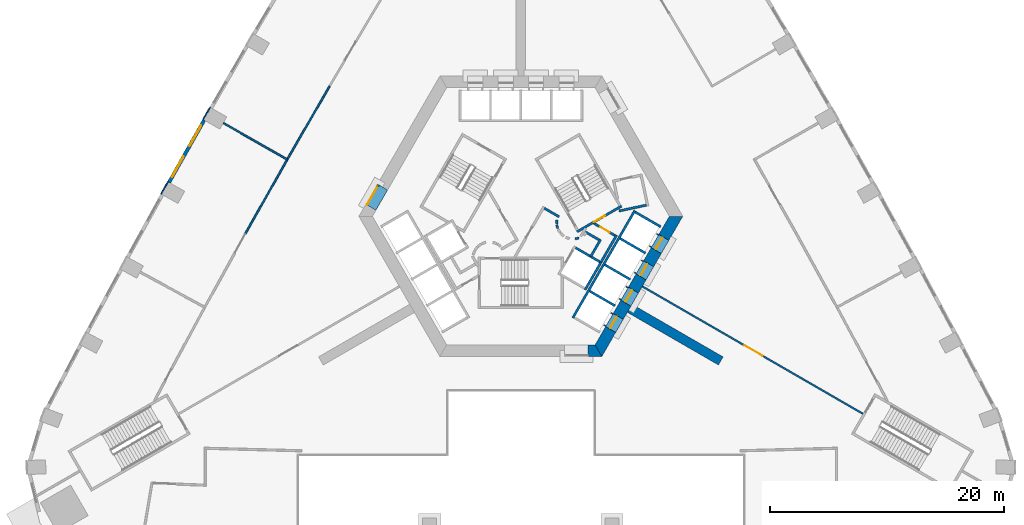
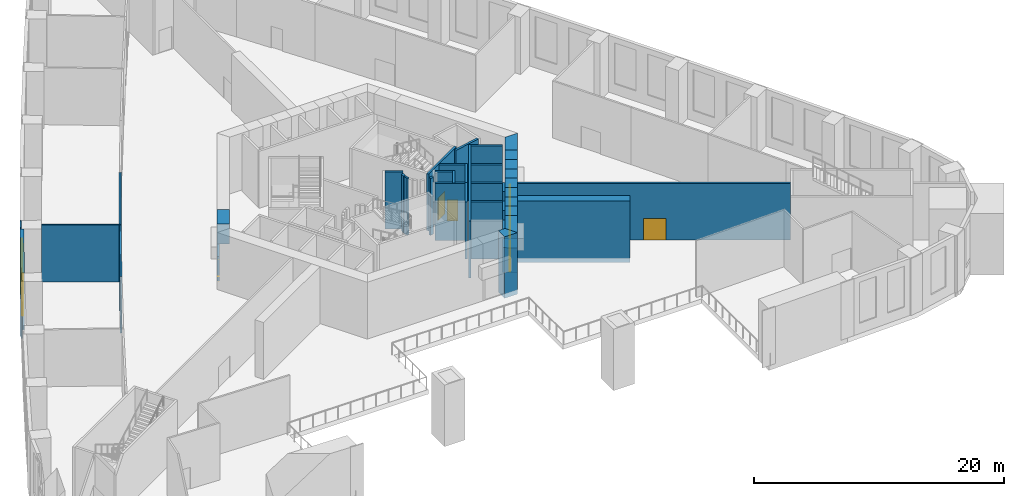
# One storey, part 4 of 15: 41 walls, 8 doors, 2 windows, 10 openings.
"""IFC4 building model written with IfcOpenShell, lengths in metres."""

import ifcopenshell
import ifcopenshell.guid

model = None  # the IFC model being written
_history = None  # IfcOwnerHistory: only IFC2X3 demands one
_inside = {}  # id of a spatial element -> (the spatial element, [elements in it])
_under = {}  # id of a project, library or spatial element -> (it, [spatial elements below it])
_declared = {}  # id of a project -> (the project, [libraries it declares])
_typed = {}  # id of a type object -> (the type object, [elements of that type])
_made_of = {}  # id of a material, layer set ... -> (it, [elements and type objects made of it])


def new_model(schema):
    """Start an empty IFC model of exactly this schema.

    Asked for "IFC4X3", IfcOpenShell would pick the latest addendum, in which some entities
    have other attributes; the version numbers below select the first issue.
    IFC2X3 requires an IfcOwnerHistory on every rooted entity: one is made here for all.
    """
    global model, _history
    if schema == "IFC4X3":
        model = ifcopenshell.file(schema_version=(4, 3, 0, 0))
    else:
        model = ifcopenshell.file(schema=schema)
    _inside.clear()
    _under.clear()
    _declared.clear()
    _typed.clear()
    _made_of.clear()
    _history = None
    if model.schema == "IFC2X3":
        org = make("IfcOrganization", Name="unknown")
        user = make(
            "IfcPersonAndOrganization",
            ThePerson=make("IfcPerson", FamilyName="unknown"),
            TheOrganization=org,
        )
        app = make(
            "IfcApplication",
            ApplicationDeveloper=org,
            Version="unknown",
            ApplicationFullName="unknown",
            ApplicationIdentifier="unknown",
        )
        _history = make(
            "IfcOwnerHistory",
            OwningUser=user,
            OwningApplication=app,
            ChangeAction="ADDED",
            CreationDate=0,
        )
    return model


def make(cls, **values):
    """One entity of the class cls with the attributes given. An attribute that is None is left unset."""
    return model.create_entity(
        cls, **{name: value for name, value in values.items() if value is not None}
    )


def rooted(cls, **values):
    """An entity with a GlobalId (a new one), such as an element, a storey or a relation."""
    return make(cls, GlobalId=ifcopenshell.guid.new(), OwnerHistory=_history, **values)


def si_unit(unit_type, name, prefix=None):
    """IfcSIUnit, for example si_unit("LENGTHUNIT", "METRE", prefix="MILLI")."""
    return make("IfcSIUnit", UnitType=unit_type, Prefix=prefix, Name=name)


def assignment(units):
    """IfcUnitAssignment: the units of a project."""
    return None if units is None else make("IfcUnitAssignment", Units=units)


def point(xyz):
    """IfcCartesianPoint."""
    return None if xyz is None else make("IfcCartesianPoint", Coordinates=xyz)


def direction(xyz):
    """IfcDirection."""
    return None if xyz is None else make("IfcDirection", DirectionRatios=xyz)


def frame(location, z_axis=None, x_axis=None):
    """IfcAxis2Placement3D, a coordinate frame: its origin and axes. An axis left out is left unset."""
    return make(
        "IfcAxis2Placement3D",
        Location=point(location),
        Axis=direction(z_axis),
        RefDirection=direction(x_axis),
    )


def frame_2d(location, x_axis=None):
    """IfcAxis2Placement2D, a coordinate frame in the plane: its origin and x axis."""
    return make(
        "IfcAxis2Placement2D", Location=point(location), RefDirection=direction(x_axis)
    )


def origin():
    """The frame at (0, 0, 0) with its axes left unset."""
    return frame((0.0, 0.0, 0.0))


def place(relative_to, where):
    """IfcLocalPlacement: puts the frame where relative to a parent placement (None: the world)."""
    return make(
        "IfcLocalPlacement", PlacementRelTo=relative_to, RelativePlacement=where
    )


def context(
    kind, dimensions, precision=None, world=None, true_north=None, identifier=None
):
    """IfcGeometricRepresentationContext, for example the 3D "Model" context."""
    return make(
        "IfcGeometricRepresentationContext",
        ContextIdentifier=identifier,
        ContextType=kind,
        CoordinateSpaceDimension=dimensions,
        Precision=precision,
        WorldCoordinateSystem=world,
        TrueNorth=true_north,
    )


def subcontext(parent, identifier, kind, view, scale=None):
    """IfcGeometricRepresentationSubContext, for example "Body" below "Model"."""
    return make(
        "IfcGeometricRepresentationSubContext",
        ContextIdentifier=identifier,
        ContextType=kind,
        ParentContext=parent,
        TargetScale=scale,
        TargetView=view,
    )


def project(units=None, contexts=None):
    """IfcProject with its units and contexts."""
    return rooted(
        "IfcProject",
        Name="project",
        RepresentationContexts=contexts,
        UnitsInContext=assignment(units),
    )


def spatial(cls, under=None, at=None, **own):
    """A site, building, storey or space (cls), placed at a placement, below another one or the project."""
    s = rooted(cls, ObjectPlacement=at, **own)
    if under is not None:
        _under.setdefault(under.id(), (under, []))[1].append(s)
    return s


def polyline(points):
    """IfcPolyline through the points."""
    return make("IfcPolyline", Points=[point(p) for p in points])


def profile(cls, at=None, kind="AREA", **sizes):
    """A parametric profile (cls). Its sizes go by their IFC names, for example OverallWidth=200.0."""
    return make(cls, ProfileType=kind, Position=at, **sizes)


def rectangle(**sizes):
    """IfcRectangleProfileDef."""
    return profile("IfcRectangleProfileDef", **sizes)


def outline(outer, holes=None, kind="AREA"):
    """IfcArbitraryClosedProfileDef: a profile drawn as a closed curve; with holes, ...WithVoids."""
    if holes is None:
        return make("IfcArbitraryClosedProfileDef", ProfileType=kind, OuterCurve=outer)
    return make(
        "IfcArbitraryProfileDefWithVoids",
        ProfileType=kind,
        OuterCurve=outer,
        InnerCurves=holes,
    )


def extrude(swept, where, along, depth):
    """IfcExtrudedAreaSolid: the profile swept, set in the frame where, extruded along a direction by depth."""
    return make(
        "IfcExtrudedAreaSolid",
        SweptArea=swept,
        Position=where,
        ExtrudedDirection=direction(along),
        Depth=depth,
    )


def shape(context_of_items, identifier, shape_type, items):
    """IfcShapeRepresentation: the items that make up one representation, for example the "Body"."""
    return make(
        "IfcShapeRepresentation",
        ContextOfItems=context_of_items,
        RepresentationIdentifier=identifier,
        RepresentationType=shape_type,
        Items=items,
    )


def material(Name=None, Category=None):
    """IfcMaterial."""
    return make("IfcMaterial", Name=Name, Category=Category)


def layer(
    of_material, thickness, ventilated=None, Name=None, Category=None, Priority=None
):
    """IfcMaterialLayer: one layer of a wall or slab, of a material (None: an air gap)."""
    return make(
        "IfcMaterialLayer",
        Material=of_material,
        LayerThickness=thickness,
        IsVentilated=ventilated,
        Name=Name,
        Category=Category,
        Priority=Priority,
    )


def layer_set(layers, Name=None):
    """IfcMaterialLayerSet."""
    return make("IfcMaterialLayerSet", MaterialLayers=layers, LayerSetName=Name)


def made_of(thing, what):
    """Note that an element or type object is made of a material, layer set ...; save() writes the relation."""
    if what is not None:
        _made_of.setdefault(what.id(), (what, []))[1].append(thing)
    return thing


def type_object(cls, material=None, **own):
    """A type object (cls), such as IfcWallType, which elements share."""
    return made_of(rooted(cls, **own), material)


def element(
    cls,
    number,
    at=None,
    inside=None,
    cuts=None,
    type_object=None,
    material=None,
    context=None,
    identifier="Body",
    shape_type=None,
    held_by="IfcProductDefinitionShape",
    body=None,
    shapes=None,
    **own,
):
    """One element of the class cls, such as IfcWall. Its Tag is "e" and its number.

    at: its placement. inside: the storey or other place that contains it. cuts: it is an
    opening in that element (IfcRelVoidsElement). A single representation is given by context,
    identifier, shape_type and body (its items); several are given by shapes. held_by: the class
    of the entity that holds the representations. save() writes the other relations.
    """
    e = rooted(cls, Tag="e%d" % number, ObjectPlacement=at, **own)
    if body is not None:
        shapes = [shape(context, identifier, shape_type, body)]
    if shapes is not None:
        e.Representation = make(held_by, Representations=shapes)
    if inside is not None:
        _inside.setdefault(inside.id(), (inside, []))[1].append(e)
    if cuts is not None:
        rooted(
            "IfcRelVoidsElement", RelatingBuildingElement=cuts, RelatedOpeningElement=e
        )
    if type_object is not None:
        _typed.setdefault(type_object.id(), (type_object, []))[1].append(e)
    return made_of(e, material)


def fill(opening, filler):
    """IfcRelFillsElement: the door or window that sits in an opening."""
    return rooted(
        "IfcRelFillsElement",
        RelatingOpeningElement=opening,
        RelatedBuildingElement=filler,
    )


def aggregate(whole, parts):
    """IfcRelAggregates: a whole, such as a stair, and the parts it consists of."""
    return rooted("IfcRelAggregates", RelatingObject=whole, RelatedObjects=parts)


def save(model, path):
    """Write the relations noted so far, then the file.

    IfcRelAggregates (storeys below a building ...), IfcRelContainedInSpatialStructure (elements
    in a storey), IfcRelDefinesByType, IfcRelAssociatesMaterial and IfcRelDeclares: one each for
    every whole, place, type object, material and project.
    """
    for whole, parts in _under.values():
        aggregate(whole, parts)
    for where, things in _inside.values():
        rooted(
            "IfcRelContainedInSpatialStructure",
            RelatedElements=things,
            RelatingStructure=where,
        )
    for kind, things in _typed.values():
        rooted("IfcRelDefinesByType", RelatedObjects=things, RelatingType=kind)
    for what, things in _made_of.values():
        rooted("IfcRelAssociatesMaterial", RelatedObjects=things, RelatingMaterial=what)
    for by, libraries in _declared.values():
        rooted("IfcRelDeclares", RelatingContext=by, RelatedDefinitions=libraries)
    model.write(path)


model = new_model("IFC4")

# Units and contexts
model_context = context("Model", 3, precision=1e-05, world=origin(), true_north=direction((0.0, 1.0)))
body_context = subcontext(model_context, "Body", "Model", "MODEL_VIEW")
ifc_project = project(units=[si_unit("LENGTHUNIT", "METRE"), si_unit("AREAUNIT", "SQUARE_METRE"), si_unit("VOLUMEUNIT", "CUBIC_METRE"), si_unit("PLANEANGLEUNIT", "RADIAN"), si_unit("MASSUNIT", "GRAM", prefix="KILO")], contexts=[model_context])

# Site, building, storey
site_placement = place(None, origin())
site = spatial("IfcSite", under=ifc_project, at=site_placement, CompositionType="ELEMENT")
building_placement = place(site_placement, origin())
building = spatial("IfcBuilding", under=site, at=building_placement, Name="Entoto Arch Interchange Tower", CompositionType="ELEMENT")
storey_placement = place(building_placement, frame((0.0, 0.0, 9.0)))
storey = spatial("IfcBuildingStorey", under=building, at=storey_placement, Name="L01", CompositionType="ELEMENT", Elevation=9.0)

# Wall
ifc_material_1 = material(Name="Concrete C60/75", Category="concrete")
ifc_layer_1 = layer(ifc_material_1, 0.800048828125)
ifc_layer_set_1 = layer_set([ifc_layer_1], Name="Concrete C60/75")
wall_type_1 = type_object("IfcWallType", Name="Buttress wall 800 C60/75", PredefinedType="SHEAR", material=ifc_layer_set_1)
wall_1_placement = place(storey_placement, frame((9.31005859375, -5.375, -0.449951171875), z_axis=(0.0, 0.0, 1.0), x_axis=(0.866017533419, -0.500013631625, 0.0)))
element("IfcWall", 1, at=wall_1_placement, inside=storey, type_object=wall_type_1, Name="Buttress wall SE L01", PredefinedType="SHEAR", context=body_context, shape_type="SweptSolid", body=[
    extrude(rectangle(XDim=8.999755859375, YDim=0.800048828125, at=frame_2d((4.5, 0.0))), origin(), (0.0, 0.0, 1.0), 6.0),
])

# Wall, opening, door
ifc_material_2 = material(Name="Reinforced concrete C40/50", Category="concrete")
ifc_layer_2 = layer(ifc_material_2, 0.199951171875)
ifc_layer_set_2 = layer_set([ifc_layer_2], Name="Reinforced concrete C40/50")
wall_type_2 = type_object("IfcWallType", Name="CORE GAP INFILL WALL", PredefinedType="PARTITIONING", material=ifc_layer_set_2)
wall_2_placement = place(storey_placement, frame((-12.179931640625, 5.201904296875, 0.0), z_axis=(0.0, 0.0, 1.0), x_axis=(-0.50002537861, -0.866010750942, 0.0)))
wall_2 = element("IfcWall", 2, at=wall_2_placement, inside=storey, type_object=wall_type_2, Name="wall:L01:gap3", PredefinedType="PARTITIONING", context=body_context, shape_type="SweptSolid", body=[
    extrude(rectangle(XDim=2.0, YDim=0.199951171875, at=frame_2d((1.0, 0.0))), origin(), (0.0, 0.0, 1.0), 2.39990234375),
])
opening_1_placement = place(wall_2_placement, frame((0.18994140625, 0.0, 0.0)))
opening_1 = element("IfcOpeningElement", 3, at=opening_1_placement, cuts=wall_2, Name="Opening L01-D93", PredefinedType="OPENING", context=body_context, shape_type="SweptSolid", body=[
    extrude(rectangle(XDim=1.800048828125, YDim=2.10009765625, at=frame_2d((0.89990234375, 1.050048828125))), frame((0.0, 0.10986328125, 0.0), z_axis=(0.0, -1.0, 0.0), x_axis=(1.0, 0.0, 0.0)), (0.0, 0.0, 1.0), 0.219970703125),
])
ifc_material_3 = material(Name="Fire-rated Steel S235 door and frame", Category="steel")
door_type_1 = type_object("IfcDoorType", Name="DOOR FD-18 1800x2100", OperationType="DOUBLE_DOOR_SINGLE_SWING", PredefinedType="DOOR", material=ifc_material_3)
door_1_placement = place(opening_1_placement, origin())
door_1 = element("IfcDoor", 4, at=door_1_placement, inside=storey, type_object=door_type_1, Name="door:L01:gap3", OperationType="DOUBLE_DOOR_SINGLE_SWING", OverallHeight=2.10009765625, OverallWidth=1.800048828125, PredefinedType="DOOR", context=body_context, shape_type="SweptSolid", body=[
    extrude(rectangle(XDim=1.800048828125, YDim=2.10009765625, at=frame_2d((0.89990234375, 1.050048828125))), frame((0.0, 0.02490234375, 0.0), z_axis=(0.0, -1.0, 0.0), x_axis=(1.0, 0.0, 0.0)), (0.0, 0.0, 1.0), 0.050048828125),
])
fill(opening_1, door_1)

# Walls
ifc_layer_3 = layer(ifc_material_1, 1.0)
ifc_layer_set_3 = layer_set([ifc_layer_3], Name="Concrete C60/75")
wall_type_3 = type_object("IfcWallType", Name="Core wall 1000 C60/75", PredefinedType="SHEAR", material=ifc_layer_set_3)
wall_3_placement = place(storey_placement, frame((0.0, 0.0, 3.60009765625)))
element("IfcWall", 5, at=wall_3_placement, inside=storey, type_object=wall_type_3, Name="Core wall lintel NW L01", PredefinedType="SHEAR", context=body_context, shape_type="SweptSolid", body=[
    extrude(outline(polyline([(-13.26708984375, 3.52001953125), (-12.402099609375, 3.02001953125), (-11.402099609375, 4.751953125), (-12.26708984375, 5.251953125), (-13.26708984375, 3.52001953125)])), origin(), (0.0, 0.0, 1.0), 1.949951171875),
])
wall_4_placement = place(storey_placement, frame((0.0, 0.0, -0.449951171875)))
element("IfcWall", 6, at=wall_4_placement, inside=storey, type_object=wall_type_3, Name="Core wall S L01", PredefinedType="SHEAR", context=body_context, shape_type="SweptSolid", body=[
    extrude(outline(polyline([(5.75, -8.5), (5.75, -9.5), (6.927978515625, -9.5), (6.35107421875, -8.5), (5.75, -8.5)])), origin(), (0.0, 0.0, 1.0), 6.0),
])
wall_5_placement = place(storey_placement, frame((0.0, 0.0, -0.449951171875)))
element("IfcWall", 7, at=wall_5_placement, inside=storey, type_object=wall_type_3, Name="Core wall SE L01", PredefinedType="SHEAR", context=body_context, shape_type="SweptSolid", body=[
    extrude(outline(polyline([(8.116943359375, -7.43994140625), (7.251953125, -6.93994140625), (6.35107421875, -8.5), (6.927978515625, -9.5), (8.116943359375, -7.43994140625)])), origin(), (0.0, 0.0, 1.0), 6.0),
])
wall_6_placement = place(storey_placement, frame((0.0, 0.0, -0.449951171875)))
element("IfcWall", 8, at=wall_6_placement, inside=storey, type_object=wall_type_3, Name="Core wall SE L01", PredefinedType="SHEAR", context=body_context, shape_type="SweptSolid", body=[
    extrude(outline(polyline([(9.4169921875, -5.18896484375), (8.551025390625, -4.68896484375), (7.902099609375, -5.81396484375), (8.76708984375, -6.31396484375), (9.4169921875, -5.18896484375)])), origin(), (0.0, 0.0, 1.0), 6.0),
])
wall_7_placement = place(storey_placement, frame((0.0, 0.0, -0.449951171875)))
element("IfcWall", 9, at=wall_7_placement, inside=storey, type_object=wall_type_3, Name="Core wall SE L01", PredefinedType="SHEAR", context=body_context, shape_type="SweptSolid", body=[
    extrude(outline(polyline([(10.717041015625, -2.93701171875), (9.85107421875, -2.43701171875), (9.200927734375, -3.56298828125), (10.06689453125, -4.06298828125), (10.717041015625, -2.93701171875)])), origin(), (0.0, 0.0, 1.0), 6.0),
])
wall_8_placement = place(storey_placement, frame((0.0, 0.0, -0.449951171875)))
element("IfcWall", 10, at=wall_8_placement, inside=storey, type_object=wall_type_3, Name="Core wall SE L01", PredefinedType="SHEAR", context=body_context, shape_type="SweptSolid", body=[
    extrude(outline(polyline([(12.01708984375, -0.68603515625), (11.15087890625, -0.18603515625), (10.5009765625, -1.31103515625), (11.366943359375, -1.81103515625), (12.01708984375, -0.68603515625)])), origin(), (0.0, 0.0, 1.0), 6.0),
])
wall_9_placement = place(storey_placement, frame((0.0, 0.0, -0.449951171875)))
element("IfcWall", 11, at=wall_9_placement, inside=storey, type_object=wall_type_3, Name="Core wall SE L01", PredefinedType="SHEAR", context=body_context, shape_type="SweptSolid", body=[
    extrude(outline(polyline([(11.801025390625, 0.93994140625), (12.6669921875, 0.43994140625), (13.85595703125, 2.5), (12.701904296875, 2.5), (11.801025390625, 0.93994140625)])), origin(), (0.0, 0.0, 1.0), 6.0),
])
wall_10_placement = place(storey_placement, frame((0.0, 0.0, 3.60009765625)))
element("IfcWall", 12, at=wall_10_placement, inside=storey, type_object=wall_type_3, Name="Core wall lintel SE L01", PredefinedType="SHEAR", context=body_context, shape_type="SweptSolid", body=[
    extrude(outline(polyline([(8.76708984375, -6.31396484375), (7.902099609375, -5.81396484375), (7.251953125, -6.93994140625), (8.116943359375, -7.43994140625), (8.76708984375, -6.31396484375)])), origin(), (0.0, 0.0, 1.0), 1.949951171875),
])
wall_11_placement = place(storey_placement, frame((0.0, 0.0, 3.60009765625)))
element("IfcWall", 13, at=wall_11_placement, inside=storey, type_object=wall_type_3, Name="Core wall lintel SE L01", PredefinedType="SHEAR", context=body_context, shape_type="SweptSolid", body=[
    extrude(outline(polyline([(10.06689453125, -4.06298828125), (9.200927734375, -3.56298828125), (8.551025390625, -4.68896484375), (9.4169921875, -5.18896484375), (10.06689453125, -4.06298828125)])), origin(), (0.0, 0.0, 1.0), 1.949951171875),
])
wall_12_placement = place(storey_placement, frame((0.0, 0.0, 3.60009765625)))
element("IfcWall", 14, at=wall_12_placement, inside=storey, type_object=wall_type_3, Name="Core wall lintel SE L01", PredefinedType="SHEAR", context=body_context, shape_type="SweptSolid", body=[
    extrude(outline(polyline([(11.366943359375, -1.81103515625), (10.5009765625, -1.31103515625), (9.85107421875, -2.43701171875), (10.717041015625, -2.93701171875), (11.366943359375, -1.81103515625)])), origin(), (0.0, 0.0, 1.0), 1.949951171875),
])
wall_13_placement = place(storey_placement, frame((0.0, 0.0, 3.60009765625)))
element("IfcWall", 15, at=wall_13_placement, inside=storey, type_object=wall_type_3, Name="Core wall lintel SE L01", PredefinedType="SHEAR", context=body_context, shape_type="SweptSolid", body=[
    extrude(outline(polyline([(12.6669921875, 0.43994140625), (11.801025390625, 0.93994140625), (11.15087890625, -0.18603515625), (12.01708984375, -0.68603515625), (12.6669921875, 0.43994140625)])), origin(), (0.0, 0.0, 1.0), 1.949951171875),
])

# Wall, opening, door
ifc_material_4 = material(Name="Concrete C40/50", Category="concrete")
ifc_layer_4 = layer(ifc_material_4, 1.199951171875)
ifc_layer_set_4 = layer_set([ifc_layer_4], Name="Concrete C40/50")
wall_type_4 = type_object("IfcWallType", Name="LIFT LANDING INFILL WALL", PredefinedType="STANDARD", material=ifc_layer_set_4)
wall_14_placement = place(storey_placement, frame((7.597900390625, -7.139892578125, 0.0), z_axis=(0.0, 0.0, 1.0), x_axis=(0.500362116554, 0.865816234728, 0.0)))
wall_14 = element("IfcWall", 16, at=wall_14_placement, inside=storey, type_object=wall_type_4, Name="Lift landing infill wall LR5 L01", PredefinedType="STANDARD", context=body_context, shape_type="SweptSolid", body=[
    extrude(rectangle(XDim=1.29931640625, YDim=1.199951171875, at=frame_2d((0.649658203125, 0.0))), origin(), (0.0, 0.0, 1.0), 2.39990234375),
])
opening_2_placement = place(wall_14_placement, frame((0.10009765625, 0.0, 0.0)))
opening_2 = element("IfcOpeningElement", 17, at=opening_2_placement, cuts=wall_14, Name="Opening LD-LR5-L01", PredefinedType="OPENING", context=body_context, shape_type="SweptSolid", body=[
    extrude(rectangle(XDim=1.10009765625, YDim=2.300048828125, at=frame_2d((0.550048828125, 1.14990234375))), frame((0.0, 0.60986328125, 0.0), z_axis=(0.0, -1.0, 0.0), x_axis=(1.0, 0.0, 0.0)), (0.0, 0.0, 1.0), 1.219970703125),
])
ifc_material_5 = material(Name="Stainless steel 1.4301 panels", Category="steel")
door_type_2 = type_object("IfcDoorType", Name="LIFT LANDING DOOR LD2 1100x2300", OperationType="SLIDING_TO_LEFT", PredefinedType="DOOR", material=ifc_material_5)
door_2_placement = place(opening_2_placement, origin())
door_2 = element("IfcDoor", 18, at=door_2_placement, inside=storey, type_object=door_type_2, Name="Lift landing door LR5 L01", OperationType="SLIDING_TO_LEFT", OverallHeight=2.300048828125, OverallWidth=1.10009765625, PredefinedType="DOOR", context=body_context, shape_type="SweptSolid", body=[
    extrude(rectangle(XDim=1.10009765625, YDim=2.300048828125, at=frame_2d((0.550048828125, 1.14990234375))), frame((0.0, 0.02490234375, 0.0), z_axis=(0.0, -1.0, 0.0), x_axis=(1.0, 0.0, 0.0)), (0.0, 0.0, 1.0), 0.050048828125),
])
fill(opening_2, door_2)

wall_15_placement = place(storey_placement, frame((8.89794921875, -4.888916015625, 0.0), z_axis=(0.0, 0.0, 1.0), x_axis=(0.500036693733, 0.866004217611, 0.0)))
wall_15 = element("IfcWall", 19, at=wall_15_placement, inside=storey, type_object=wall_type_4, Name="Lift landing infill wall LR6 L01", PredefinedType="STANDARD", context=body_context, shape_type="SweptSolid", body=[
    extrude(rectangle(XDim=1.30029296875, YDim=1.199951171875, at=frame_2d((0.650146484375, 0.0))), origin(), (0.0, 0.0, 1.0), 2.39990234375),
])
opening_3_placement = place(wall_15_placement, frame((0.10009765625, 0.0, 0.0)))
opening_3 = element("IfcOpeningElement", 20, at=opening_3_placement, cuts=wall_15, Name="Opening LD-LR6-L01", PredefinedType="OPENING", context=body_context, shape_type="SweptSolid", body=[
    extrude(rectangle(XDim=1.10009765625, YDim=2.300048828125, at=frame_2d((0.550048828125, 1.14990234375))), frame((0.0, 0.60986328125, 0.0), z_axis=(0.0, -1.0, 0.0), x_axis=(1.0, 0.0, 0.0)), (0.0, 0.0, 1.0), 1.219970703125),
])
door_3_placement = place(opening_3_placement, origin())
door_3 = element("IfcDoor", 21, at=door_3_placement, inside=storey, type_object=door_type_2, Name="Lift landing door LR6 L01", OperationType="SLIDING_TO_LEFT", OverallHeight=2.300048828125, OverallWidth=1.10009765625, PredefinedType="DOOR", context=body_context, shape_type="SweptSolid", body=[
    extrude(rectangle(XDim=1.10009765625, YDim=2.300048828125, at=frame_2d((0.550048828125, 1.14990234375))), frame((0.0, 0.02490234375, 0.0), z_axis=(0.0, -1.0, 0.0), x_axis=(1.0, 0.0, 0.0)), (0.0, 0.0, 1.0), 0.050048828125),
])
fill(opening_3, door_3)

wall_16_placement = place(storey_placement, frame((10.197998046875, -2.636962890625, 0.0), z_axis=(0.0, 0.0, 1.0), x_axis=(0.49989585183, 0.866085525409, 0.0)))
wall_16 = element("IfcWall", 22, at=wall_16_placement, inside=storey, type_object=wall_type_4, Name="Lift landing infill wall LR7 L01", PredefinedType="STANDARD", context=body_context, shape_type="SweptSolid", body=[
    extrude(rectangle(XDim=1.300048828125, YDim=1.199951171875, at=frame_2d((0.64990234375, 0.0))), origin(), (0.0, 0.0, 1.0), 2.39990234375),
])
opening_4_placement = place(wall_16_placement, frame((0.10009765625, 0.0, 0.0)))
opening_4 = element("IfcOpeningElement", 23, at=opening_4_placement, cuts=wall_16, Name="Opening LD-LR7-L01", PredefinedType="OPENING", context=body_context, shape_type="SweptSolid", body=[
    extrude(rectangle(XDim=1.10009765625, YDim=2.300048828125, at=frame_2d((0.550048828125, 1.14990234375))), frame((0.0, 0.60986328125, 0.0), z_axis=(0.0, -1.0, 0.0), x_axis=(1.0, 0.0, 0.0)), (0.0, 0.0, 1.0), 1.219970703125),
])
door_4_placement = place(opening_4_placement, origin())
door_4 = element("IfcDoor", 24, at=door_4_placement, inside=storey, type_object=door_type_2, Name="Lift landing door LR7 L01", OperationType="SLIDING_TO_LEFT", OverallHeight=2.300048828125, OverallWidth=1.10009765625, PredefinedType="DOOR", context=body_context, shape_type="SweptSolid", body=[
    extrude(rectangle(XDim=1.10009765625, YDim=2.300048828125, at=frame_2d((0.550048828125, 1.14990234375))), frame((0.0, 0.02490234375, 0.0), z_axis=(0.0, -1.0, 0.0), x_axis=(1.0, 0.0, 0.0)), (0.0, 0.0, 1.0), 0.050048828125),
])
fill(opening_4, door_4)

wall_17_placement = place(storey_placement, frame((11.498046875, -0.385009765625, 0.0), z_axis=(0.0, 0.0, 1.0), x_axis=(0.500221244143, 0.865897630733, 0.0)))
wall_17 = element("IfcWall", 25, at=wall_17_placement, inside=storey, type_object=wall_type_4, Name="Lift landing infill wall LR8 L01", PredefinedType="STANDARD", context=body_context, shape_type="SweptSolid", body=[
    extrude(rectangle(XDim=1.29931640625, YDim=1.199951171875, at=frame_2d((0.649658203125, 0.0))), origin(), (0.0, 0.0, 1.0), 2.39990234375),
])
opening_5_placement = place(wall_17_placement, frame((0.10009765625, 0.0, 0.0)))
opening_5 = element("IfcOpeningElement", 26, at=opening_5_placement, cuts=wall_17, Name="Opening LD-LR8-L01", PredefinedType="OPENING", context=body_context, shape_type="SweptSolid", body=[
    extrude(rectangle(XDim=1.10009765625, YDim=2.300048828125, at=frame_2d((0.550048828125, 1.14990234375))), frame((0.0, 0.60986328125, 0.0), z_axis=(0.0, -1.0, 0.0), x_axis=(1.0, 0.0, 0.0)), (0.0, 0.0, 1.0), 1.219970703125),
])
door_5_placement = place(opening_5_placement, origin())
door_5 = element("IfcDoor", 27, at=door_5_placement, inside=storey, type_object=door_type_2, Name="Lift landing door LR8 L01", OperationType="SLIDING_TO_LEFT", OverallHeight=2.300048828125, OverallWidth=1.10009765625, PredefinedType="DOOR", context=body_context, shape_type="SweptSolid", body=[
    extrude(rectangle(XDim=1.10009765625, YDim=2.300048828125, at=frame_2d((0.550048828125, 1.14990234375))), frame((0.0, 0.02490234375, 0.0), z_axis=(0.0, -1.0, 0.0), x_axis=(1.0, 0.0, 0.0)), (0.0, 0.0, 1.0), 0.050048828125),
])
fill(opening_5, door_5)

# Walls
ifc_layer_5 = layer(ifc_material_4, 0.199951171875)
ifc_layer_set_5 = layer_set([ifc_layer_5], Name="Concrete C40/50")
wall_type_5 = type_object("IfcWallType", Name="LIFT SHAFT WALL 200", PredefinedType="STANDARD", material=ifc_layer_set_5)
wall_18_placement = place(storey_placement, frame((5.491943359375, -3.7880859375, 0.0), z_axis=(0.0, 0.0, 1.0), x_axis=(0.500011755427, 0.866018616679, 0.0)))
element("IfcWall", 28, at=wall_18_placement, inside=storey, type_object=wall_type_5, Name="Shaft wall SE1 back", PredefinedType="STANDARD", context=body_context, shape_type="SweptSolid", body=[
    extrude(rectangle(XDim=2.80029296875, YDim=0.199951171875, at=frame_2d((1.400146484375, 0.0))), origin(), (0.0, 0.0, 1.0), 5.550048828125),
])
wall_19_placement = place(storey_placement, frame((4.677001953125, -0.199951171875, 0.0), z_axis=(0.0, 0.0, 1.0), x_axis=(0.865973769406, -0.500089422704, 0.0)))
element("IfcWall", 29, at=wall_19_placement, inside=storey, type_object=wall_type_5, Name="Shaft wall SE1 cross 2", PredefinedType="STANDARD", context=body_context, shape_type="SweptSolid", body=[
    extrude(rectangle(XDim=2.3994140625, YDim=0.199951171875, at=frame_2d((1.19970703125, 0.0))), origin(), (0.0, 0.0, 1.0), 5.550048828125),
])
wall_20_placement = place(storey_placement, frame((4.450927734375, -6.18994140625, 0.0), z_axis=(0.0, 0.0, 1.0), x_axis=(0.50000090737, 0.866024879913, 0.0)))
element("IfcWall", 30, at=wall_20_placement, inside=storey, type_object=wall_type_5, Name="Shaft wall SE3 front", PredefinedType="STANDARD", context=body_context, shape_type="SweptSolid", body=[
    extrude(rectangle(XDim=10.60009765625, YDim=0.199951171875, at=frame_2d((5.300048828125, 0.0))), origin(), (0.0, 0.0, 1.0), 5.550048828125),
])
for number, where, z_axis, x_axis, name in (
    (31, (5.887939453125, -3.902099609375, 0.0), (0.0, 0.0, 1.0), (0.866022959057, -0.500004234368, 0.0), "Shaft wall SE3 cross 2"),
    (32, (7.18798828125, -1.64990234375, 0.0), (0.0, 0.0, 1.0), (0.866022959057, -0.500004234368, 0.0), "Shaft wall SE3 cross 3"),
    (33, (8.488037109375, 0.60205078125, 0.0), (0.0, 0.0, 1.0), (0.866022959057, -0.500004234368, 0.0), "Shaft wall SE3 cross 4"),
):
    element("IfcWall", number, at=place(storey_placement, frame(where, z_axis=z_axis, x_axis=x_axis)), inside=storey, type_object=wall_type_5, Name=name, PredefinedType="STANDARD", context=body_context, shape_type="SweptSolid", body=[
        extrude(rectangle(XDim=2.5, YDim=0.199951171875, at=frame_2d((1.25, 0.0))), origin(), (0.0, 0.0, 1.0), 5.550048828125),
    ])
wall_21_placement = place(storey_placement, frame((9.7880859375, 2.85302734375, 0.0), z_axis=(0.0, 0.0, 1.0), x_axis=(0.865998541277, -0.500046524342, 0.0)))
element("IfcWall", 34, at=wall_21_placement, inside=storey, type_object=wall_type_5, Name="Shaft wall SE3 cross 5", PredefinedType="STANDARD", context=body_context, shape_type="SweptSolid", body=[
    extrude(rectangle(XDim=2.499755859375, YDim=0.199951171875, at=frame_2d((1.25, 0.0))), origin(), (0.0, 0.0, 1.0), 5.550048828125),
])
ifc_material_6 = material(Name="Gypsum board partition on steel studs", Category="steel")
ifc_layer_6 = layer(ifc_material_6, 0.14990234375)
ifc_layer_set_6 = layer_set([ifc_layer_6], Name="Gypsum board partition on steel studs")
wall_type_6 = type_object("IfcWallType", Name="PARTITION 150", PredefinedType="PARTITIONING", material=ifc_layer_set_6)
wall_22_placement = place(storey_placement, frame((-19.989013671875, 7.361083984375, 0.0), z_axis=(0.0, 0.0, 1.0), x_axis=(-0.868573128473, 0.495561015914, 0.0)))
element("IfcWall", 35, at=wall_22_placement, inside=storey, type_object=wall_type_6, Name="wall:L01:p057", PredefinedType="PARTITIONING", context=body_context, shape_type="SweptSolid", body=[
    extrude(rectangle(XDim=6.279296875, YDim=0.14990234375, at=frame_2d((3.1396484375, 0.0))), origin(), (0.0, 0.0, 1.0), 5.550048828125),
])
wall_23_placement = place(storey_placement, frame((-16.367919921875, 13.631103515625, 0.0), z_axis=(0.0, 0.0, 1.0), x_axis=(-0.500158615396, -0.865933807774, 0.0)))
element("IfcWall", 36, at=wall_23_placement, inside=storey, type_object=wall_type_6, Name="wall:L01:p060", PredefinedType="PARTITIONING", context=body_context, shape_type="SweptSolid", body=[
    extrude(rectangle(XDim=7.31591796875, YDim=0.14990234375, at=frame_2d((3.657958984375, 0.0))), origin(), (0.0, 0.0, 1.0), 5.550048828125),
])
wall_24_placement = place(storey_placement, frame((-20.02490234375, 7.294921875, 0.0), z_axis=(0.0, 0.0, 1.0), x_axis=(-0.491633098341, -0.87080244408, 0.0)))
element("IfcWall", 37, at=wall_24_placement, inside=storey, type_object=wall_type_6, Name="wall:L01:p062", PredefinedType="PARTITIONING", context=body_context, shape_type="SweptSolid", body=[
    extrude(rectangle(XDim=7.170166015625, YDim=0.14990234375, at=frame_2d((3.5849609375, 0.0))), origin(), (0.0, 0.0, 1.0), 5.550048828125),
])

# Wall, opening, door
wall_25_placement = place(storey_placement, frame((10.39208984375, -3.5, 0.0), z_axis=(0.0, 0.0, 1.0), x_axis=(0.866033409894, -0.499986132754, 0.0)))
wall_25 = element("IfcWall", 38, at=wall_25_placement, inside=storey, type_object=wall_type_6, Name="wall:L01:p069", PredefinedType="PARTITIONING", context=body_context, shape_type="SweptSolid", body=[
    extrude(rectangle(XDim=21.80029296875, YDim=0.14990234375, at=frame_2d((10.900146484375, 0.0))), origin(), (0.0, 0.0, 1.0), 5.550048828125),
])
opening_6_placement = place(wall_25_placement, frame((10.080078125, 0.0, 0.0)))
opening_6 = element("IfcOpeningElement", 39, at=opening_6_placement, cuts=wall_25, Name="Opening L01-D03", PredefinedType="OPENING", context=body_context, shape_type="SweptSolid", body=[
    extrude(rectangle(XDim=1.800048828125, YDim=2.10009765625, at=frame_2d((0.89990234375, 1.050048828125))), frame((0.0, 0.0849609375, 0.0), z_axis=(0.0, -1.0, 0.0), x_axis=(1.0, 0.0, 0.0)), (0.0, 0.0, 1.0), 0.169921875),
])
door_6_placement = place(opening_6_placement, origin())
door_6 = element("IfcDoor", 40, at=door_6_placement, inside=storey, type_object=door_type_1, Name="door:L01:03", OperationType="DOUBLE_DOOR_SINGLE_SWING", OverallHeight=2.10009765625, OverallWidth=1.800048828125, PredefinedType="DOOR", context=body_context, shape_type="SweptSolid", body=[
    extrude(rectangle(XDim=1.800048828125, YDim=2.10009765625, at=frame_2d((0.89990234375, 1.050048828125))), frame((0.0, 0.02490234375, 0.0), z_axis=(0.0, -1.0, 0.0), x_axis=(1.0, 0.0, 0.0)), (0.0, 0.0, 1.0), 0.050048828125),
])
fill(opening_6, door_6)

# Walls
ifc_layer_7 = layer(ifc_material_6, 0.199951171875)
ifc_layer_set_7 = layer_set([ifc_layer_7], Name="Gypsum board partition on steel studs")
wall_type_7 = type_object("IfcWallType", Name="PARTITION 200", PredefinedType="PARTITIONING", material=ifc_layer_set_7)
wall_26_placement = place(storey_placement, frame((5.4990234375, 1.172119140625, 0.0), z_axis=(0.0, 0.0, 1.0), x_axis=(0.866333505267, -0.499465972466, 0.0)))
element("IfcWall", 41, at=wall_26_placement, inside=storey, type_object=wall_type_7, Name="wall:L01:p002", PredefinedType="PARTITIONING", context=body_context, shape_type="SweptSolid", body=[
    extrude(rectangle(XDim=1.37353515625, YDim=0.199951171875, at=frame_2d((0.686767578125, 0.0))), origin(), (0.0, 0.0, 1.0), 5.550048828125),
])
wall_27_placement = place(storey_placement, frame((6.825927734375, 0.52197265625, 0.0), z_axis=(0.0, 0.0, 1.0), x_axis=(-0.500016722714, -0.866015748706, 0.0)))
element("IfcWall", 42, at=wall_27_placement, inside=storey, type_object=wall_type_7, Name="wall:L01:p003", PredefinedType="PARTITIONING", context=body_context, shape_type="SweptSolid", body=[
    extrude(rectangle(XDim=1.69970703125, YDim=0.199951171875, at=frame_2d((0.849853515625, 0.0))), origin(), (0.0, 0.0, 1.0), 5.550048828125),
])
wall_28_placement = place(storey_placement, frame((8.19189453125, 0.887939453125, 0.0), z_axis=(0.0, 0.0, 1.0), x_axis=(-0.499940625693, -0.866059680843, 0.0)))
element("IfcWall", 43, at=wall_28_placement, inside=storey, type_object=wall_type_7, Name="wall:L01:p004", PredefinedType="PARTITIONING", context=body_context, shape_type="SweptSolid", body=[
    extrude(rectangle(XDim=2.679931640625, YDim=0.199951171875, at=frame_2d((1.33984375, 0.0))), origin(), (0.0, 0.0, 1.0), 5.550048828125),
])

# Wall, opening, door
wall_29_placement = place(storey_placement, frame((6.25, 1.89404296875, 0.0), z_axis=(0.0, 0.0, 1.0), x_axis=(0.866043184279, -0.499969202016, 0.0)))
wall_29 = element("IfcWall", 44, at=wall_29_placement, inside=storey, type_object=wall_type_7, Name="wall:L01:p006", PredefinedType="PARTITIONING", context=body_context, shape_type="SweptSolid", body=[
    extrude(rectangle(XDim=2.084228515625, YDim=0.199951171875, at=frame_2d((1.0419921875, 0.0))), origin(), (0.0, 0.0, 1.0), 5.550048828125),
])
opening_7_placement = place(wall_29_placement, frame((0.64208984375, 0.0, 0.0)))
opening_7 = element("IfcOpeningElement", 45, at=opening_7_placement, cuts=wall_29, Name="Opening L01-D17", PredefinedType="OPENING", context=body_context, shape_type="SweptSolid", body=[
    extrude(rectangle(XDim=0.89990234375, YDim=2.10009765625, at=frame_2d((0.449951171875, 1.050048828125))), frame((0.0, 0.10986328125, 0.0), z_axis=(0.0, -1.0, 0.0), x_axis=(1.0, 0.0, 0.0)), (0.0, 0.0, 1.0), 0.219970703125),
])
ifc_material_7 = material(Name="Timber door leaf in Steel S235 frame", Category="steel")
door_type_3 = type_object("IfcDoorType", Name="DOOR DS-09 900x2100", OperationType="SINGLE_SWING_LEFT", PredefinedType="DOOR", material=ifc_material_7)
door_7_placement = place(opening_7_placement, origin())
door_7 = element("IfcDoor", 46, at=door_7_placement, inside=storey, type_object=door_type_3, Name="door:L01:17", OperationType="SINGLE_SWING_LEFT", OverallHeight=2.10009765625, OverallWidth=0.89990234375, PredefinedType="DOOR", context=body_context, shape_type="SweptSolid", body=[
    extrude(rectangle(XDim=0.89990234375, YDim=2.10009765625, at=frame_2d((0.449951171875, 1.050048828125))), frame((0.0, 0.02490234375, 0.0), z_axis=(0.0, -1.0, 0.0), x_axis=(1.0, 0.0, 0.0)), (0.0, 0.0, 1.0), 0.050048828125),
])
fill(opening_7, door_7)

# Walls
wall_30_placement = place(storey_placement, frame((8.388916015625, 2.9541015625, 0.0), z_axis=(0.0, 0.0, 1.0), x_axis=(0.978158333757, 0.207861189501, 0.0)))
element("IfcWall", 47, at=wall_30_placement, inside=storey, type_object=wall_type_7, Name="wall:L01:p012", PredefinedType="PARTITIONING", context=body_context, shape_type="SweptSolid", body=[
    extrude(rectangle(XDim=2.399658203125, YDim=0.199951171875, at=frame_2d((1.19970703125, 0.0))), origin(), (0.0, 0.0, 1.0), 5.550048828125),
])
wall_31_placement = place(storey_placement, frame((3.0791015625, 2.198974609375, 0.0), z_axis=(0.0, 0.0, 1.0), x_axis=(-0.047771483479, -0.998858290933, 0.0)))
element("IfcWall", 48, at=wall_31_placement, inside=storey, type_object=wall_type_7, Name="wall:L01:p016", PredefinedType="PARTITIONING", context=body_context, shape_type="SweptSolid", body=[
    extrude(rectangle(XDim=0.33740234375, YDim=0.199951171875, at=frame_2d((0.168701171875, 0.0))), origin(), (0.0, 0.0, 1.0), 5.550048828125),
])
wall_32_placement = place(storey_placement, frame((3.070068359375, 1.785888671875, 0.0), z_axis=(0.0, 0.0, 1.0), x_axis=(0.242705583207, -0.970099994784, 0.0)))
element("IfcWall", 49, at=wall_32_placement, inside=storey, type_object=wall_type_7, Name="wall:L01:p017", PredefinedType="PARTITIONING", context=body_context, shape_type="SweptSolid", body=[
    extrude(rectangle(XDim=0.337890625, YDim=0.199951171875, at=frame_2d((0.1689453125, 0.0))), origin(), (0.0, 0.0, 1.0), 5.550048828125),
])
wall_33_placement = place(storey_placement, frame((4.64404296875, 0.56396484375, 0.0), z_axis=(0.0, 0.0, 1.0), x_axis=(0.969929076366, 0.243387729394, 0.0)))
element("IfcWall", 50, at=wall_33_placement, inside=storey, type_object=wall_type_7, Name="wall:L01:p021", PredefinedType="PARTITIONING", context=body_context, shape_type="SweptSolid", body=[
    extrude(rectangle(XDim=0.337158203125, YDim=0.199951171875, at=frame_2d((0.16845703125, 0.0))), origin(), (0.0, 0.0, 1.0), 5.550048828125),
])
wall_34_placement = place(storey_placement, frame((2.011962890625, 3.18603515625, 0.0), z_axis=(0.0, 0.0, 1.0), x_axis=(0.865891012941, -0.500232699559, 0.0)))
element("IfcWall", 51, at=wall_34_placement, inside=storey, type_object=wall_type_7, Name="wall:L01:p023", PredefinedType="PARTITIONING", context=body_context, shape_type="SweptSolid", body=[
    extrude(rectangle(XDim=1.449462890625, YDim=0.199951171875, at=frame_2d((0.724609375, 0.0))), origin(), (0.0, 0.0, 1.0), 5.550048828125),
])

# Wall, opening, door
ifc_layer_8 = layer(ifc_material_4, 0.199951171875)
ifc_layer_set_8 = layer_set([ifc_layer_8], Name="Concrete C40/50")
wall_type_8 = type_object("IfcWallType", Name="STAIR ENCLOSURE WALL 200", PredefinedType="STANDARD", material=ifc_layer_set_8)
wall_35_placement = place(storey_placement, frame((4.805908203125, 1.176025390625, 0.0), z_axis=(0.0, 0.0, 1.0), x_axis=(0.866059941101, 0.499940174841, 0.0)))
wall_35 = element("IfcWall", 52, at=wall_35_placement, inside=storey, type_object=wall_type_8, Name="Stair wall ST-NE near", PredefinedType="STANDARD", context=body_context, shape_type="SweptSolid", body=[
    extrude(rectangle(XDim=4.400390625, YDim=0.199951171875, at=frame_2d((2.2001953125, 0.0))), origin(), (0.0, 0.0, 1.0), 5.550048828125),
])
opening_8_placement = place(wall_35_placement, frame((1.64990234375, 0.0, 0.0)))
opening_8 = element("IfcOpeningElement", 53, at=opening_8_placement, cuts=wall_35, Name="Opening SD-ST-NE-L01-E", PredefinedType="OPENING", context=body_context, shape_type="SweptSolid", body=[
    extrude(rectangle(XDim=1.10009765625, YDim=2.199951171875, at=frame_2d((0.550048828125, 1.10009765625))), frame((0.0, 0.10986328125, 0.0), z_axis=(0.0, -1.0, 0.0), x_axis=(1.0, 0.0, 0.0)), (0.0, 0.0, 1.0), 0.219970703125),
])
ifc_material_8 = material(Name="Steel S235", Category="steel")
door_type_4 = type_object("IfcDoorType", Name="STAIR DOOR SD1 1100x2200", OperationType="SINGLE_SWING_LEFT", PredefinedType="DOOR", material=ifc_material_8)
door_8_placement = place(opening_8_placement, origin())
door_8 = element("IfcDoor", 54, at=door_8_placement, inside=storey, type_object=door_type_4, Name="Stair door ST-NE L01 end", OperationType="SINGLE_SWING_LEFT", OverallHeight=2.199951171875, OverallWidth=1.10009765625, PredefinedType="DOOR", context=body_context, shape_type="SweptSolid", body=[
    extrude(rectangle(XDim=1.10009765625, YDim=2.199951171875, at=frame_2d((0.550048828125, 1.10009765625))), frame((0.0, 0.02490234375, 0.0), z_axis=(0.0, -1.0, 0.0), x_axis=(1.0, 0.0, 0.0)), (0.0, 0.0, 1.0), 0.050048828125),
])
fill(opening_8, door_8)

# Wall, openings, windows
ifc_material_9 = material(Name="Welded tuff (ignimbrite) cladding, warm buff", Category="masonry")
ifc_layer_9 = layer(ifc_material_9, 0.300048828125)
ifc_layer_set_9 = layer_set([ifc_layer_9], Name="Welded tuff (ignimbrite) cladding, warm buff")
wall_type_9 = type_object("IfcWallType", Name="STONE INFILL WALL 300", PredefinedType="STANDARD", material=ifc_layer_set_9)
wall_36_placement = place(storey_placement, frame((-27.10107421875, 10.72998046875, 0.0), z_axis=(0.0, 0.0, 1.0), x_axis=(-0.491661677717, -0.870786308267, 0.0)))
wall_36 = element("IfcWall", 55, at=wall_36_placement, inside=storey, type_object=wall_type_9, Name="Facade wall NW-06 L01", PredefinedType="STANDARD", context=body_context, shape_type="SweptSolid", body=[
    extrude(rectangle(XDim=6.1220703125, YDim=0.300048828125, at=frame_2d((3.06103515625, 0.0))), origin(), (0.0, 0.0, 1.0), 5.550048828125),
])
opening_9_placement = place(wall_36_placement, frame((0.531005859375, 0.0, 1.0)))
opening_9 = element("IfcOpeningElement", 56, at=opening_9_placement, cuts=wall_36, Name="Opening WP-F", PredefinedType="OPENING", context=body_context, shape_type="SweptSolid", body=[
    extrude(rectangle(XDim=2.0, YDim=4.0, at=frame_2d((1.0, 2.0))), frame((0.0, 0.16015625, 0.0), z_axis=(0.0, -1.0, 0.0), x_axis=(1.0, 0.0, 0.0)), (0.0, 0.0, 1.0), 0.320068359375),
])
opening_10_placement = place(wall_36_placement, frame((3.592041015625, 0.0, 1.0)))
opening_10 = element("IfcOpeningElement", 57, at=opening_10_placement, cuts=wall_36, Name="Opening WP-F", PredefinedType="OPENING", context=body_context, shape_type="SweptSolid", body=[
    extrude(rectangle(XDim=2.0, YDim=4.0, at=frame_2d((1.0, 2.0))), frame((0.0, 0.16015625, 0.0), z_axis=(0.0, -1.0, 0.0), x_axis=(1.0, 0.0, 0.0)), (0.0, 0.0, 1.0), 0.320068359375),
])
ifc_material_10 = material(Name="Clear glass, low-e double glazed", Category="glass")
window_type = type_object("IfcWindowType", Name="WINDOW WP-F 2000x4000", PartitioningType="DOUBLE_PANEL_VERTICAL", PredefinedType="WINDOW", material=ifc_material_10)
window_1_placement = place(opening_9_placement, origin())
window_1 = element("IfcWindow", 58, at=window_1_placement, inside=storey, type_object=window_type, Name="Window WP-F NW-06 L01", OverallHeight=4.0, OverallWidth=2.0, PartitioningType="SINGLE_PANEL", PredefinedType="WINDOW", context=body_context, shape_type="SweptSolid", body=[
    extrude(rectangle(XDim=2.0, YDim=4.0, at=frame_2d((1.0, 2.0))), frame((0.0, 0.030029296875, 0.0), z_axis=(0.0, -1.0, 0.0), x_axis=(1.0, 0.0, 0.0)), (0.0, 0.0, 1.0), 0.06005859375),
])
fill(opening_9, window_1)
window_2_placement = place(opening_10_placement, origin())
window_2 = element("IfcWindow", 59, at=window_2_placement, inside=storey, type_object=window_type, Name="Window WP-F NW-06 L01", OverallHeight=4.0, OverallWidth=2.0, PartitioningType="SINGLE_PANEL", PredefinedType="WINDOW", context=body_context, shape_type="SweptSolid", body=[
    extrude(rectangle(XDim=2.0, YDim=4.0, at=frame_2d((1.0, 2.0))), frame((0.0, 0.030029296875, 0.0), z_axis=(0.0, -1.0, 0.0), x_axis=(1.0, 0.0, 0.0)), (0.0, 0.0, 1.0), 0.06005859375),
])
fill(opening_10, window_2)

# Walls
ifc_layer_10 = layer(ifc_material_9, 0.10009765625)
ifc_layer_set_10 = layer_set([ifc_layer_10], Name="Welded tuff (ignimbrite) cladding, warm buff")
wall_type_10 = type_object("IfcWallType", Name="STONE PIER CLADDING 100", PredefinedType="STANDARD", material=ifc_layer_set_10)
wall_37_placement = place(storey_placement, frame((-26.595947265625, 11.822021484375, 0.0), z_axis=(0.0, 0.0, 1.0), x_axis=(-0.495854054996, -0.868405870629, 0.0)))
element("IfcWall", 60, at=wall_37_placement, inside=storey, type_object=wall_type_10, Name="Stone pier NW06 L01", PredefinedType="STANDARD", context=body_context, shape_type="SweptSolid", body=[
    extrude(rectangle(XDim=1.199951171875, YDim=0.10009765625, at=frame_2d((0.60009765625, 0.0))), origin(), (0.0, 0.0, 1.0), 5.550048828125),
])
wall_38_placement = place(storey_placement, frame((-30.199951171875, 5.449951171875, 0.0), z_axis=(0.0, 0.0, 1.0), x_axis=(-0.486817526853, -0.873503689488, 0.0)))
element("IfcWall", 61, at=wall_38_placement, inside=storey, type_object=wall_type_10, Name="Stone pier NW07 L01", PredefinedType="STANDARD", context=body_context, shape_type="SweptSolid", body=[
    extrude(rectangle(XDim=1.19970703125, YDim=0.10009765625, at=frame_2d((0.599853515625, 0.0))), origin(), (0.0, 0.0, 1.0), 5.550048828125),
])

save(model, "model.ifc")
